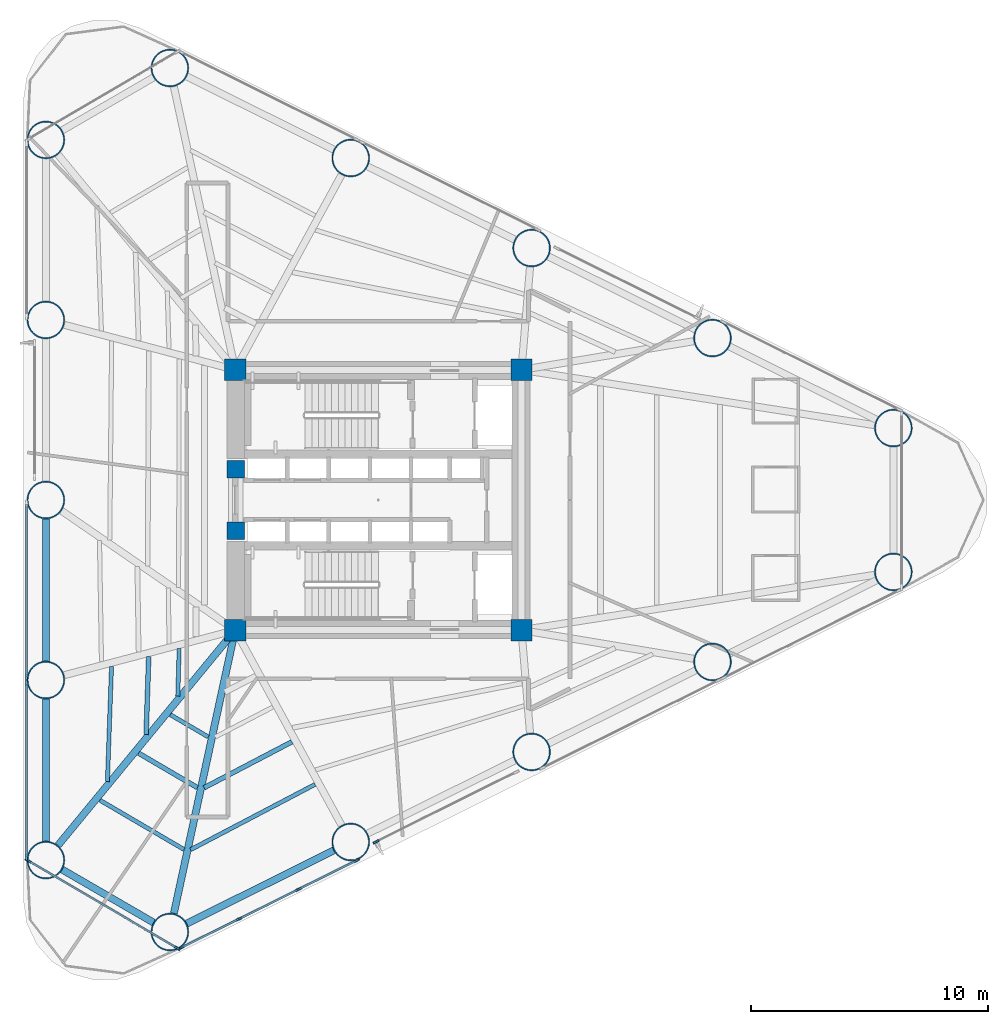
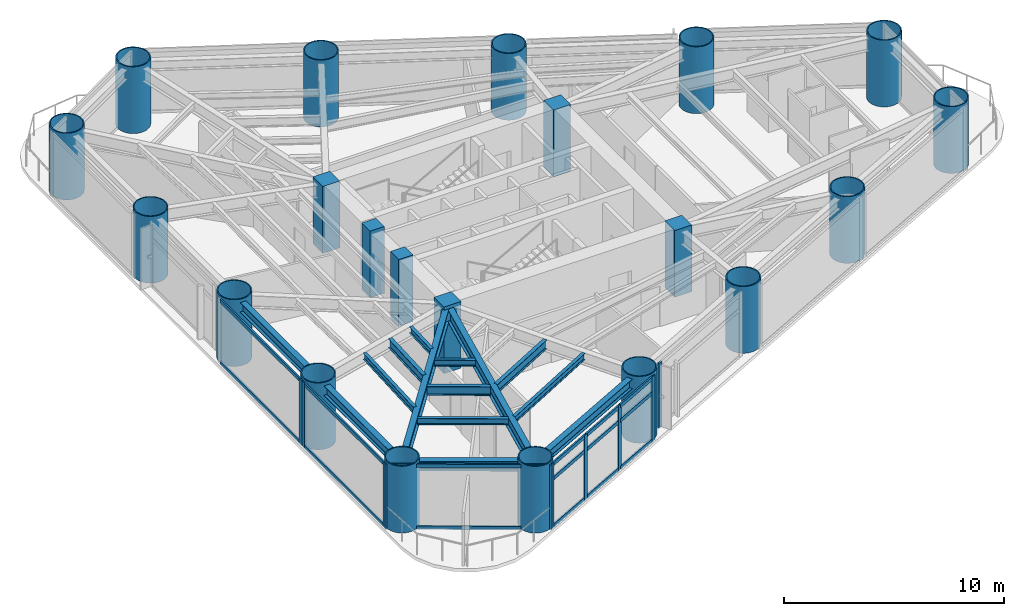
# One storey, part 1 of 10: 25 members, 21 columns, 14 beams, 5 elements without a shape of their own.
"""IFC4 building model written with IfcOpenShell, lengths in metres."""

from ifc_helpers import new_model, si_unit, direction, frame, origin, origin_2d, place, context, subcontext, project, spatial, rectangle, hollow_circle, i_section, extrude, source, transform, mapped, material, layer, layer_set, material_profile, profile_set, type_object, element, aggregate, save


model = new_model("IFC4")

# Units and contexts
model_context = context("Model", 3, precision=1e-05, world=origin(), true_north=direction((0.0, 1.0)))
body_context = subcontext(model_context, "Body", "Model", "MODEL_VIEW")
ifc_project = project(units=[si_unit("LENGTHUNIT", "METRE"), si_unit("AREAUNIT", "SQUARE_METRE"), si_unit("VOLUMEUNIT", "CUBIC_METRE"), si_unit("PLANEANGLEUNIT", "RADIAN"), si_unit("MASSUNIT", "GRAM", prefix="KILO")], contexts=[model_context])

# Site, building, storey
site_placement = place(None, origin())
site = spatial("IfcSite", under=ifc_project, at=site_placement, CompositionType="ELEMENT")
building_placement = place(site_placement, origin())
building = spatial("IfcBuilding", under=site, at=building_placement, Name="Yunling Apex Tower", CompositionType="ELEMENT")
storey_placement = place(building_placement, frame((0.0, 0.0, 34.89990234375)))
storey = spatial("IfcBuildingStorey", under=building, at=storey_placement, Name="L10", CompositionType="ELEMENT", Elevation=34.89990234375)

# Columns
ifc_material_1 = material(Name="Concrete C60", Category="concrete")
ifc_material_profile_1 = material_profile(ifc_material_1, rectangle(XDim=0.89990234375, YDim=0.89990234375, at=origin_2d()))
ifc_profile_set_1 = profile_set([ifc_material_profile_1], Name="Concrete C60")
column_type_1 = type_object("IfcColumnType", Name="PC-SRC-3", PredefinedType="COLUMN", material=ifc_profile_set_1)
shared_shape_1 = source(origin(), body_context, "Body", "SweptSolid", [
    extrude(rectangle(XDim=0.89990234375, YDim=0.89990234375, at=origin_2d()), origin(), (0.0, 0.0, 1.0), 3.7001953125),
])
for number, where, z_axis, x_axis, name in (
    (1, (-6.050048828125, -5.5, 0.0), (0.0, 0.0, 1.0), (1.0, 0.0, 0.0), "L10 Core Spine Column CC-SW"),
    (2, (6.050048828125, -5.5, 0.0), (0.0, 0.0, 1.0), (1.0, 0.0, 0.0), "L10 Core Spine Column CC-SE"),
    (3, (6.050048828125, 5.5, 0.0), (0.0, 0.0, 1.0), (1.0, 0.0, 0.0), "L10 Core Spine Column CC-NE"),
    (4, (-6.050048828125, 5.5, 0.0), (0.0, 0.0, 1.0), (1.0, 0.0, 0.0), "L10 Core Spine Column CC-NW"),
):
    element("IfcColumn", number, at=place(storey_placement, frame(where, z_axis=z_axis, x_axis=x_axis)), inside=storey, type_object=column_type_1, Name=name, PredefinedType="COLUMN", context=body_context, shape_type="MappedRepresentation", body=[
        mapped(shared_shape_1, transform((0.0, 0.0, 0.0), scale=1.0)),
    ])
ifc_material_2 = material(Name="Concrete C50", Category="concrete")
ifc_material_profile_2 = material_profile(ifc_material_2, rectangle(XDim=0.75, YDim=0.75, at=origin_2d()))
ifc_profile_set_2 = profile_set([ifc_material_profile_2], Name="Concrete C50")
column_type_2 = type_object("IfcColumnType", Name="PC-SRC-4", PredefinedType="COLUMN", material=ifc_profile_set_2)
shared_shape_2 = source(origin(), body_context, "Body", "SweptSolid", [
    extrude(rectangle(XDim=0.75, YDim=0.75, at=origin_2d()), origin(), (0.0, 0.0, 1.0), 3.7001953125),
])
for number, where, z_axis, x_axis, name in (
    (5, (-6.02490234375, -1.300048828125, 0.0), (0.0, 0.0, 1.0), (1.0, 0.0, 0.0), "L10 Core West Portal Jamb Column S"),
    (6, (-6.02490234375, 1.300048828125, 0.0), (0.0, 0.0, 1.0), (1.0, 0.0, 0.0), "L10 Core West Portal Jamb Column N"),
):
    element("IfcColumn", number, at=place(storey_placement, frame(where, z_axis=z_axis, x_axis=x_axis)), inside=storey, type_object=column_type_2, Name=name, PredefinedType="COLUMN", context=body_context, shape_type="MappedRepresentation", body=[
        mapped(shared_shape_2, transform((0.0, 0.0, 0.0), scale=1.0)),
    ])
ifc_material_3 = material(Name="Steel Q390GJC", Category="steel")
ifc_material_profile_3 = material_profile(ifc_material_3, hollow_circle(Radius=0.800048828125, WallThickness=0.054931640625, at=origin_2d()))
ifc_profile_set_3 = profile_set([ifc_material_profile_3], Name="Steel Q390GJC")
column_type_3 = type_object("IfcColumnType", Name="MC-CFST-1", PredefinedType="COLUMN", material=ifc_profile_set_3)
shared_shape_3 = source(origin(), body_context, "Body", "SweptSolid", [
    extrude(hollow_circle(Radius=0.800048828125, WallThickness=0.054931640625, at=origin_2d()), origin(), (0.0, 0.0, 1.0), 3.7001953125),
])
for number, where, z_axis, x_axis, name in (
    (7, (-8.8115234375, -18.2578125, 0.0), (0.0, 0.0, 1.0), (1.0, 0.0, 0.0), "L10 Perimeter CFST Mega-Column P01"),
    (8, (-1.1669921875, -14.453125, 0.0), (0.0, 0.0, 1.0), (1.0, 0.0, 0.0), "L10 Perimeter CFST Mega-Column P02"),
    (9, (6.477294921875, -10.648193359375, 0.0), (0.0, 0.0, 1.0), (1.0, 0.0, 0.0), "L10 Perimeter CFST Mega-Column P03"),
    (10, (14.121826171875, -6.843505859375, 0.0), (0.0, 0.0, 1.0), (1.0, 0.0, 0.0), "L10 Perimeter CFST Mega-Column P04"),
    (11, (21.76611328125, -3.038818359375, 0.0), (0.0, 0.0, 1.0), (1.0, 0.0, 0.0), "L10 Perimeter CFST Mega-Column P05"),
    (12, (21.76611328125, 3.038818359375, 0.0), (0.0, 0.0, 1.0), (1.0, 0.0, 0.0), "L10 Perimeter CFST Mega-Column P06"),
    (13, (14.121826171875, 6.843505859375, 0.0), (0.0, 0.0, 1.0), (1.0, 0.0, 0.0), "L10 Perimeter CFST Mega-Column P07"),
    (14, (6.477294921875, 10.648193359375, 0.0), (0.0, 0.0, 1.0), (1.0, 0.0, 0.0), "L10 Perimeter CFST Mega-Column P08"),
    (15, (-1.1669921875, 14.453125, 0.0), (0.0, 0.0, 1.0), (1.0, 0.0, 0.0), "L10 Perimeter CFST Mega-Column P09"),
    (16, (-8.8115234375, 18.2578125, 0.0), (0.0, 0.0, 1.0), (1.0, 0.0, 0.0), "L10 Perimeter CFST Mega-Column P10"),
    (17, (-14.052001953125, 15.218994140625, 0.0), (0.0, 0.0, 1.0), (1.0, 0.0, 0.0), "L10 Perimeter CFST Mega-Column P11"),
    (18, (-14.052001953125, 7.609619140625, 0.0), (0.0, 0.0, 1.0), (1.0, 0.0, 0.0), "L10 Perimeter CFST Mega-Column P12"),
    (19, (-14.052001953125, 0.0, 0.0), (0.0, 0.0, 1.0), (1.0, 0.0, 0.0), "L10 Perimeter CFST Mega-Column P13"),
    (20, (-14.052001953125, -7.609619140625, 0.0), (0.0, 0.0, 1.0), (1.0, 0.0, 0.0), "L10 Perimeter CFST Mega-Column P14"),
    (21, (-14.052001953125, -15.218994140625, 0.0), (0.0, 0.0, 1.0), (1.0, 0.0, 0.0), "L10 Perimeter CFST Mega-Column P15"),
):
    element("IfcColumn", number, at=place(storey_placement, frame(where, z_axis=z_axis, x_axis=x_axis)), inside=storey, type_object=column_type_3, Name=name, PredefinedType="COLUMN", context=body_context, shape_type="MappedRepresentation", body=[
        mapped(shared_shape_3, transform((0.0, 0.0, 0.0), scale=1.0)),
    ])

# Beams
ifc_material_4 = material(Name="Steel Q355B", Category="steel")
ifc_material_profile_4 = material_profile(ifc_material_4, i_section(OverallWidth=0.300048828125, OverallDepth=0.5400390625, WebThickness=0.011962890625, FlangeThickness=0.02001953125, FilletRadius=0.02392578125, at=origin_2d()))
ifc_profile_set_4 = profile_set([ifc_material_profile_4], Name="Steel Q355B")
beam_type_1 = type_object("IfcBeamType", Name="BP-SPN-1", PredefinedType="SPANDREL", material=ifc_profile_set_4)
shared_shape_4 = source(origin(), body_context, "Body", "SweptSolid", [
    extrude(i_section(OverallWidth=0.300048828125, OverallDepth=0.5400390625, WebThickness=0.011962890625, FlangeThickness=0.02001953125, FilletRadius=0.02392578125, at=origin_2d()), origin(), (0.0, 0.0, 1.0), 6.950927734375),
])
beam_1_placement = place(storey_placement, frame((-8.1005859375, -17.904052734375, 3.2451171875), z_axis=(0.89524058306, 0.445583099368, 0.0), x_axis=(-0.445583099368, 0.89524058306, 0.0)))
element("IfcBeam", 22, at=beam_1_placement, inside=storey, type_object=beam_type_1, Name="L10 Perimeter Spandrel Beam 1", PredefinedType="SPANDREL", context=body_context, shape_type="MappedRepresentation", body=[
    mapped(shared_shape_4, transform((0.0, 0.0, 0.0), scale=1.0)),
])
shared_shape_5 = source(origin(), body_context, "Body", "SweptSolid", [
    extrude(i_section(OverallWidth=0.300048828125, OverallDepth=0.5400390625, WebThickness=0.011962890625, FlangeThickness=0.02001953125, FilletRadius=0.02392578125, at=origin_2d()), origin(), (0.0, 0.0, 1.0), 4.469970703125),
])
beam_2_placement = place(storey_placement, frame((-13.364990234375, -15.6171875, 3.2451171875), z_axis=(0.865055841155, -0.501675584102, 0.0), x_axis=(0.501675584102, 0.865055841155, 0.0)))
element("IfcBeam", 23, at=beam_2_placement, inside=storey, type_object=beam_type_1, Name="L10 Perimeter Spandrel Beam 15", PredefinedType="SPANDREL", context=body_context, shape_type="MappedRepresentation", body=[
    mapped(shared_shape_5, transform((0.0, 0.0, 0.0), scale=1.0)),
])
shared_shape_6 = source(origin(), body_context, "Body", "SweptSolid", [
    extrude(i_section(OverallWidth=0.300048828125, OverallDepth=0.5400390625, WebThickness=0.011962890625, FlangeThickness=0.02001953125, FilletRadius=0.02392578125, at=origin_2d()), origin(), (0.0, 0.0, 1.0), 6.021240234375),
])
beam_3_placement = place(storey_placement, frame((-14.052001953125, -8.403564453125, 3.2451171875), z_axis=(0.0, -1.0, 0.0), x_axis=(1.0, 0.0, 0.0)))
element("IfcBeam", 24, at=beam_3_placement, inside=storey, type_object=beam_type_1, Name="L10 Perimeter Spandrel Beam 14", PredefinedType="SPANDREL", context=body_context, shape_type="MappedRepresentation", body=[
    mapped(shared_shape_6, transform((0.0, 0.0, 0.0), scale=1.0)),
])
shared_shape_7 = source(origin(), body_context, "Body", "SweptSolid", [
    extrude(i_section(OverallWidth=0.300048828125, OverallDepth=0.5400390625, WebThickness=0.011962890625, FlangeThickness=0.02001953125, FilletRadius=0.02392578125, at=origin_2d()), origin(), (0.0, 0.0, 1.0), 6.021484375),
])
beam_4_placement = place(storey_placement, frame((-14.052001953125, -0.7939453125, 3.2451171875), z_axis=(0.0, -1.0, 0.0), x_axis=(1.0, 0.0, 0.0)))
element("IfcBeam", 25, at=beam_4_placement, inside=storey, type_object=beam_type_1, Name="L10 Perimeter Spandrel Beam 13", PredefinedType="SPANDREL", context=body_context, shape_type="MappedRepresentation", body=[
    mapped(shared_shape_7, transform((0.0, 0.0, 0.0), scale=1.0)),
])
ifc_material_profile_5 = material_profile(ifc_material_4, i_section(OverallWidth=0.300048828125, OverallDepth=0.699951171875, WebThickness=0.012939453125, FlangeThickness=0.02392578125, FilletRadius=0.02587890625, at=origin_2d()))
ifc_profile_set_5 = profile_set([ifc_material_profile_5], Name="Steel Q355B")
beam_type_2 = type_object("IfcBeamType", Name="BG-PRI-3", PredefinedType="USERDEFINED", material=ifc_profile_set_5)
shared_shape_8 = source(origin(), body_context, "Body", "SweptSolid", [
    extrude(i_section(OverallWidth=0.300048828125, OverallDepth=0.699951171875, WebThickness=0.012939453125, FlangeThickness=0.02392578125, FilletRadius=0.02587890625, at=origin_2d()), origin(), (0.0, 0.0, 1.0), 12.165283203125),
])
beam_5_placement = place(storey_placement, frame((-8.640625, -17.468017578125, 3.1650390625), z_axis=(0.2115638914, 0.977364169517, 0.0), x_axis=(-0.977364169517, 0.2115638914, 0.0)))
element("IfcBeam", 26, at=beam_5_placement, inside=storey, type_object=beam_type_2, Name="L10 Radial Primary Girder R01", ObjectType="GIRDER", PredefinedType="USERDEFINED", context=body_context, shape_type="MappedRepresentation", body=[
    mapped(shared_shape_8, transform((0.0, 0.0, 0.0), scale=1.0)),
])
shared_shape_9 = source(origin(), body_context, "Body", "SweptSolid", [
    extrude(i_section(OverallWidth=0.300048828125, OverallDepth=0.699951171875, WebThickness=0.012939453125, FlangeThickness=0.02392578125, FilletRadius=0.02587890625, at=origin_2d()), origin(), (0.0, 0.0, 1.0), 11.701171875),
])
beam_6_placement = place(storey_placement, frame((-13.538330078125, -14.59521484375, 3.1650390625), z_axis=(0.635615100524, 0.772006116547, 0.0), x_axis=(-0.772006116547, 0.635615100524, 0.0)))
element("IfcBeam", 27, at=beam_6_placement, inside=storey, type_object=beam_type_2, Name="L10 Radial Primary Girder R15", ObjectType="GIRDER", PredefinedType="USERDEFINED", context=body_context, shape_type="MappedRepresentation", body=[
    mapped(shared_shape_9, transform((0.0, 0.0, 0.0), scale=1.0)),
])
ifc_material_profile_6 = material_profile(ifc_material_4, i_section(OverallWidth=0.199951171875, OverallDepth=0.5, WebThickness=0.010009765625, FlangeThickness=0.01611328125, FilletRadius=0.02001953125, at=origin_2d()))
ifc_profile_set_6 = profile_set([ifc_material_profile_6], Name="Steel Q355B")
beam_type_3 = type_object("IfcBeamType", Name="BS-SEC-2", PredefinedType="BEAM", material=ifc_profile_set_6)
shared_shape_10 = source(origin(), body_context, "Body", "SweptSolid", [
    extrude(i_section(OverallWidth=0.199951171875, OverallDepth=0.5, WebThickness=0.010009765625, FlangeThickness=0.01611328125, FilletRadius=0.02001953125, at=origin_2d()), origin(), (0.0, 0.0, 1.0), 4.186279296875),
])
beam_7_placement = place(storey_placement, frame((-7.366455078125, -12.162353515625, 3.26513671875), z_axis=(0.886028927656, 0.463629959512, 0.0), x_axis=(-0.463629959512, 0.886028927656, 0.0)))
element("IfcBeam", 28, at=beam_7_placement, inside=storey, type_object=beam_type_3, Name="L10 Composite Floor Beam BS-1", PredefinedType="BEAM", context=body_context, shape_type="MappedRepresentation", body=[
    mapped(shared_shape_10, transform((0.0, 0.0, 0.0), scale=1.0)),
])
ifc_material_profile_7 = material_profile(ifc_material_4, i_section(OverallWidth=0.175048828125, OverallDepth=0.35009765625, WebThickness=0.007080078125, FlangeThickness=0.010986328125, FilletRadius=0.013916015625, at=origin_2d()))
ifc_profile_set_7 = profile_set([ifc_material_profile_7], Name="Steel Q355B")
beam_type_4 = type_object("IfcBeamType", Name="BJ-JST-1", PredefinedType="JOIST", material=ifc_profile_set_7)
shared_shape_11 = source(origin(), body_context, "Body", "SweptSolid", [
    extrude(i_section(OverallWidth=0.175048828125, OverallDepth=0.35009765625, WebThickness=0.007080078125, FlangeThickness=0.010986328125, FilletRadius=0.013916015625, at=origin_2d()), origin(), (0.0, 0.0, 1.0), 5.935791015625),
])
beam_8_placement = place(storey_placement, frame((-7.9326171875, -14.778076171875, 3.340087890625), z_axis=(0.885494794786, 0.464649296144, 0.0), x_axis=(-0.464649296144, 0.885494794786, 0.0)))
element("IfcBeam", 29, at=beam_8_placement, inside=storey, type_object=beam_type_4, Name="L10 Composite Floor Joist BJ1-1", PredefinedType="JOIST", context=body_context, shape_type="MappedRepresentation", body=[
    mapped(shared_shape_11, transform((0.0, 0.0, 0.0), scale=1.0)),
])
shared_shape_12 = source(origin(), body_context, "Body", "SweptSolid", [
    extrude(i_section(OverallWidth=0.199951171875, OverallDepth=0.5, WebThickness=0.010009765625, FlangeThickness=0.01611328125, FilletRadius=0.02001953125, at=origin_2d()), origin(), (0.0, 0.0, 1.0), 3.29833984375),
])
beam_9_placement = place(storey_placement, frame((-9.704345703125, -6.621826171875, 3.26513671875), z_axis=(-0.033307436794, -0.9994451534, 0.0), x_axis=(0.9994451534, -0.033307436794, 0.0)))
element("IfcBeam", 30, at=beam_9_placement, inside=storey, type_object=beam_type_3, Name="L10 Composite Floor Beam BS-14", PredefinedType="BEAM", context=body_context, shape_type="MappedRepresentation", body=[
    mapped(shared_shape_12, transform((0.0, 0.0, 0.0), scale=1.0)),
])
shared_shape_13 = source(origin(), body_context, "Body", "SweptSolid", [
    extrude(i_section(OverallWidth=0.175048828125, OverallDepth=0.35009765625, WebThickness=0.007080078125, FlangeThickness=0.010986328125, FilletRadius=0.013916015625, at=origin_2d()), origin(), (0.0, 0.0, 1.0), 4.873046875),
])
beam_10_placement = place(storey_placement, frame((-11.2763671875, -7.0361328125, 3.340087890625), z_axis=(-0.035671873065, -0.999363556206, 0.0), x_axis=(0.999363556206, -0.035671873065, 0.0)))
element("IfcBeam", 31, at=beam_10_placement, inside=storey, type_object=beam_type_4, Name="L10 Composite Floor Joist BJ1-14", PredefinedType="JOIST", context=body_context, shape_type="MappedRepresentation", body=[
    mapped(shared_shape_13, transform((0.0, 0.0, 0.0), scale=1.0)),
])
shared_shape_14 = source(origin(), body_context, "Body", "SweptSolid", [
    extrude(i_section(OverallWidth=0.175048828125, OverallDepth=0.35009765625, WebThickness=0.007080078125, FlangeThickness=0.010986328125, FilletRadius=0.013916015625, at=origin_2d()), origin(), (0.0, 0.0, 1.0), 2.01025390625),
])
beam_11_placement = place(storey_placement, frame((-8.41796875, -6.282958984375, 3.340087890625), z_axis=(-0.029024336113, -0.999578705212, 0.0), x_axis=(0.999578705212, -0.029024336113, 0.0)))
element("IfcBeam", 32, at=beam_11_placement, inside=storey, type_object=beam_type_4, Name="L10 Composite Floor Joist BJ3-14", PredefinedType="JOIST", context=body_context, shape_type="MappedRepresentation", body=[
    mapped(shared_shape_14, transform((0.0, 0.0, 0.0), scale=1.0)),
])
shared_shape_15 = source(origin(), body_context, "Body", "SweptSolid", [
    extrude(i_section(OverallWidth=0.199951171875, OverallDepth=0.5, WebThickness=0.010009765625, FlangeThickness=0.01611328125, FilletRadius=0.02001953125, at=origin_2d()), origin(), (0.0, 0.0, 1.0), 2.876220703125),
])
beam_12_placement = place(storey_placement, frame((-10.127685546875, -10.701416015625, 3.26513671875), z_axis=(0.862779689624, -0.505580069992, 0.0), x_axis=(0.505580069992, 0.862779689624, 0.0)))
element("IfcBeam", 33, at=beam_12_placement, inside=storey, type_object=beam_type_3, Name="L10 Composite Floor Beam BS-15", PredefinedType="BEAM", context=body_context, shape_type="MappedRepresentation", body=[
    mapped(shared_shape_15, transform((0.0, 0.0, 0.0), scale=1.0)),
])
shared_shape_16 = source(origin(), body_context, "Body", "SweptSolid", [
    extrude(i_section(OverallWidth=0.175048828125, OverallDepth=0.35009765625, WebThickness=0.007080078125, FlangeThickness=0.010986328125, FilletRadius=0.013916015625, at=origin_2d()), origin(), (0.0, 0.0, 1.0), 4.117431640625),
])
beam_13_placement = place(storey_placement, frame((-11.76416015625, -12.688720703125, 3.340087890625), z_axis=(0.86262392079, -0.505845797928, 0.0), x_axis=(0.505845797928, 0.86262392079, 0.0)))
element("IfcBeam", 34, at=beam_13_placement, inside=storey, type_object=beam_type_4, Name="L10 Composite Floor Joist BJ1-15", PredefinedType="JOIST", context=body_context, shape_type="MappedRepresentation", body=[
    mapped(shared_shape_16, transform((0.0, 0.0, 0.0), scale=1.0)),
])
shared_shape_17 = source(origin(), body_context, "Body", "SweptSolid", [
    extrude(i_section(OverallWidth=0.175048828125, OverallDepth=0.35009765625, WebThickness=0.007080078125, FlangeThickness=0.010986328125, FilletRadius=0.013916015625, at=origin_2d()), origin(), (0.0, 0.0, 1.0), 1.86083984375),
])
beam_14_placement = place(storey_placement, frame((-8.7890625, -9.0751953125, 3.340087890625), z_axis=(0.862987962162, -0.505224481953, 0.0), x_axis=(0.505224481953, 0.862987962162, 0.0)))
element("IfcBeam", 35, at=beam_14_placement, inside=storey, type_object=beam_type_4, Name="L10 Composite Floor Joist BJ3-15", PredefinedType="JOIST", context=body_context, shape_type="MappedRepresentation", body=[
    mapped(shared_shape_17, transform((0.0, 0.0, 0.0), scale=1.0)),
])

# Curtain wall, members
ifc_material_5 = material(Name="Bronze anodised aluminium", Category="aluminium")
ifc_layer = layer(ifc_material_5, 0.260009765625)
ifc_layer_set = layer_set([ifc_layer], Name="Bronze anodised aluminium")
curtain_wall_type = type_object("IfcCurtainWallType", Name="CW-SYS-2", PredefinedType="NOTDEFINED", material=ifc_layer_set)
curtain_wall_1_placement = place(storey_placement, origin())
curtain_wall_1 = element("IfcCurtainWall", 36, at=curtain_wall_1_placement, inside=storey, type_object=curtain_wall_type, Name="CW-L10-F1-B1", PredefinedType="NOTDEFINED")
ifc_material_profile_8 = material_profile(ifc_material_5, rectangle(XDim=0.0849609375, YDim=0.260009765625, at=origin_2d()))
ifc_profile_set_8 = profile_set([ifc_material_profile_8], Name="Bronze anodised aluminium")
member_type_1 = type_object("IfcMemberType", Name="CW-MUL-2", PredefinedType="MULLION", material=ifc_profile_set_8)
shared_shape_18 = source(origin(), body_context, "Body", "SweptSolid", [
    extrude(rectangle(XDim=0.0849609375, YDim=0.260009765625, at=origin_2d()), origin(), (0.0, 0.0, 1.0), 3.614990234375),
])
member_1_placement = place(storey_placement, frame((-8.341064453125, -18.928466796875, -0.0498046875), z_axis=(0.0, 0.0, 1.0), x_axis=(-0.445570625003, 0.895246791748, 0.0)))
member_1 = element("IfcMember", 37, at=member_1_placement, type_object=member_type_1, Name="CW-SYS-2 mullion 1", PredefinedType="MULLION", context=body_context, shape_type="MappedRepresentation", body=[
    mapped(shared_shape_18, transform((0.0, 0.0, 0.0), scale=1.0)),
])
member_2_placement = place(storey_placement, frame((-5.878662109375, -17.702880859375, -0.0498046875), z_axis=(0.0, 0.0, 1.0), x_axis=(-0.445570625003, 0.895246791748, 0.0)))
member_2 = element("IfcMember", 38, at=member_2_placement, type_object=member_type_1, Name="CW-SYS-2 mullion 2", PredefinedType="MULLION", context=body_context, shape_type="MappedRepresentation", body=[
    mapped(shared_shape_18, transform((0.0, 0.0, 0.0), scale=1.0)),
])
member_3_placement = place(storey_placement, frame((-3.378173828125, -16.458251953125, -0.0498046875), z_axis=(0.0, 0.0, 1.0), x_axis=(-0.445570625003, 0.895246791748, 0.0)))
member_3 = element("IfcMember", 39, at=member_3_placement, type_object=member_type_1, Name="CW-SYS-2 mullion 3", PredefinedType="MULLION", context=body_context, shape_type="MappedRepresentation", body=[
    mapped(shared_shape_18, transform((0.0, 0.0, 0.0), scale=1.0)),
])
member_4_placement = place(storey_placement, frame((-0.915771484375, -15.23291015625, -0.0498046875), z_axis=(0.0, 0.0, 1.0), x_axis=(-0.445570625003, 0.895246791748, 0.0)))
member_4 = element("IfcMember", 40, at=member_4_placement, type_object=member_type_1, Name="CW-SYS-2 mullion 4", PredefinedType="MULLION", context=body_context, shape_type="MappedRepresentation", body=[
    mapped(shared_shape_18, transform((0.0, 0.0, 0.0), scale=1.0)),
])

# Curtain wall, member
curtain_wall_2_placement = place(storey_placement, origin())
curtain_wall_2 = element("IfcCurtainWall", 41, at=curtain_wall_2_placement, inside=storey, type_object=curtain_wall_type, Name="CW-L10-F1-B2", PredefinedType="NOTDEFINED")
member_5_placement = place(storey_placement, frame((-0.095947265625, -14.445068359375, -0.0498046875), z_axis=(0.0, 0.0, 1.0), x_axis=(-0.445582781121, 0.895240741459, 0.0)))
member_5 = element("IfcMember", 42, at=member_5_placement, type_object=member_type_1, Name="CW-SYS-2 mullion 1", PredefinedType="MULLION", context=body_context, shape_type="MappedRepresentation", body=[
    mapped(shared_shape_18, transform((0.0, 0.0, 0.0), scale=1.0)),
])
aggregate(curtain_wall_2, [member_5])

curtain_wall_3_placement = place(storey_placement, origin())
curtain_wall_3 = element("IfcCurtainWall", 43, at=curtain_wall_3_placement, inside=storey, type_object=curtain_wall_type, Name="CW-L10-F3-B3", PredefinedType="NOTDEFINED")
member_6_placement = place(storey_placement, frame((-14.862060546875, -7.487060546875, -0.0498046875), z_axis=(0.0, 0.0, 1.0), x_axis=(1.0, 0.0, 0.0)))
member_6 = element("IfcMember", 44, at=member_6_placement, type_object=member_type_1, Name="CW-SYS-2 mullion 2", PredefinedType="MULLION", context=body_context, shape_type="MappedRepresentation", body=[
    mapped(shared_shape_18, transform((0.0, 0.0, 0.0), scale=1.0)),
])

# Curtain wall, members
curtain_wall_4_placement = place(storey_placement, origin())
curtain_wall_4 = element("IfcCurtainWall", 45, at=curtain_wall_4_placement, inside=storey, type_object=curtain_wall_type, Name="CW-L10-F3-B4", PredefinedType="NOTDEFINED")
member_7_placement = place(storey_placement, frame((-14.862060546875, -7.73193359375, -0.0498046875), z_axis=(0.0, 0.0, 1.0), x_axis=(1.0, 0.0, 0.0)))
member_7 = element("IfcMember", 46, at=member_7_placement, type_object=member_type_1, Name="CW-SYS-2 mullion 1", PredefinedType="MULLION", context=body_context, shape_type="MappedRepresentation", body=[
    mapped(shared_shape_18, transform((0.0, 0.0, 0.0), scale=1.0)),
])
member_8_placement = place(storey_placement, frame((-14.862060546875, -15.096435546875, -0.0498046875), z_axis=(0.0, 0.0, 1.0), x_axis=(1.0, 0.0, 0.0)))
member_8 = element("IfcMember", 47, at=member_8_placement, type_object=member_type_1, Name="CW-SYS-2 mullion 2", PredefinedType="MULLION", context=body_context, shape_type="MappedRepresentation", body=[
    mapped(shared_shape_18, transform((0.0, 0.0, 0.0), scale=1.0)),
])

curtain_wall_5_placement = place(storey_placement, origin())
curtain_wall_5 = element("IfcCurtainWall", 48, at=curtain_wall_5_placement, inside=storey, type_object=curtain_wall_type, Name="CW-L10-CRN3", PredefinedType="NOTDEFINED")
member_9_placement = place(storey_placement, frame((-14.805419921875, -15.240478515625, -0.0498046875), z_axis=(0.0, 0.0, 1.0), x_axis=(0.506195543811, 0.86241873323, 0.0)))
member_9 = element("IfcMember", 49, at=member_9_placement, type_object=member_type_1, Name="CW-SYS-2 mullion 1", PredefinedType="MULLION", context=body_context, shape_type="MappedRepresentation", body=[
    mapped(shared_shape_18, transform((0.0, 0.0, 0.0), scale=1.0)),
])
member_10_placement = place(storey_placement, frame((-8.49609375, -18.943603515625, -0.0498046875), z_axis=(0.0, 0.0, 1.0), x_axis=(0.506195543811, 0.86241873323, 0.0)))
member_10 = element("IfcMember", 50, at=member_10_placement, type_object=member_type_1, Name="CW-SYS-2 mullion 2", PredefinedType="MULLION", context=body_context, shape_type="MappedRepresentation", body=[
    mapped(shared_shape_18, transform((0.0, 0.0, 0.0), scale=1.0)),
])

# Member
ifc_material_profile_9 = material_profile(ifc_material_5, rectangle(XDim=0.0849609375, YDim=0.199951171875, at=origin_2d()))
ifc_profile_set_9 = profile_set([ifc_material_profile_9], Name="Bronze anodised aluminium")
member_type_2 = type_object("IfcMemberType", Name="CW-TRN-2", PredefinedType="USERDEFINED", material=ifc_profile_set_9)
shared_shape_19 = source(origin(), body_context, "Body", "SweptSolid", [
    extrude(rectangle(XDim=0.0849609375, YDim=0.199951171875, at=origin_2d()), origin(), (0.0, 0.0, 1.0), 2.673828125),
])
member_11_placement = place(storey_placement, frame((-8.306640625, -18.911376953125, 0.04248046875), z_axis=(0.895247427801, 0.445569347034, 0.0), x_axis=(-0.445569347034, 0.895247427801, 0.0)))
member_11 = element("IfcMember", 51, at=member_11_placement, type_object=member_type_2, Name="CW-SYS-2 transom 1.1", ObjectType="TRANSOM", PredefinedType="USERDEFINED", context=body_context, shape_type="MappedRepresentation", body=[
    mapped(shared_shape_19, transform((0.0, 0.0, 0.0), scale=1.0)),
])

member_12_placement = place(storey_placement, frame((-8.306640625, -18.911376953125, 2.67138671875), z_axis=(0.895247427801, 0.445569347034, 0.0), x_axis=(-0.445569347034, 0.895247427801, 0.0)))
member_12 = element("IfcMember", 52, at=member_12_placement, type_object=member_type_2, Name="CW-SYS-2 transom 1.2", ObjectType="TRANSOM", PredefinedType="USERDEFINED", context=body_context, shape_type="MappedRepresentation", body=[
    mapped(shared_shape_19, transform((0.0, 0.0, 0.0), scale=1.0)),
])

member_13_placement = place(storey_placement, frame((-8.306640625, -18.911376953125, 3.47265625), z_axis=(0.895247427801, 0.445569347034, 0.0), x_axis=(-0.445569347034, 0.895247427801, 0.0)))
member_13 = element("IfcMember", 53, at=member_13_placement, type_object=member_type_2, Name="CW-SYS-2 transom 1.3", ObjectType="TRANSOM", PredefinedType="USERDEFINED", context=body_context, shape_type="MappedRepresentation", body=[
    mapped(shared_shape_19, transform((0.0, 0.0, 0.0), scale=1.0)),
])

member_14_placement = place(storey_placement, frame((-3.343994140625, -16.44140625, 0.04248046875), z_axis=(0.895247427801, 0.445569347034, 0.0), x_axis=(-0.445569347034, 0.895247427801, 0.0)))
member_14 = element("IfcMember", 54, at=member_14_placement, type_object=member_type_2, Name="CW-SYS-2 transom 3.1", ObjectType="TRANSOM", PredefinedType="USERDEFINED", context=body_context, shape_type="MappedRepresentation", body=[
    mapped(shared_shape_19, transform((0.0, 0.0, 0.0), scale=1.0)),
])

member_15_placement = place(storey_placement, frame((-3.343994140625, -16.44140625, 2.67138671875), z_axis=(0.895247427801, 0.445569347034, 0.0), x_axis=(-0.445569347034, 0.895247427801, 0.0)))
member_15 = element("IfcMember", 55, at=member_15_placement, type_object=member_type_2, Name="CW-SYS-2 transom 3.2", ObjectType="TRANSOM", PredefinedType="USERDEFINED", context=body_context, shape_type="MappedRepresentation", body=[
    mapped(shared_shape_19, transform((0.0, 0.0, 0.0), scale=1.0)),
])

member_16_placement = place(storey_placement, frame((-3.343994140625, -16.44140625, 3.47265625), z_axis=(0.895247427801, 0.445569347034, 0.0), x_axis=(-0.445569347034, 0.895247427801, 0.0)))
member_16 = element("IfcMember", 56, at=member_16_placement, type_object=member_type_2, Name="CW-SYS-2 transom 3.3", ObjectType="TRANSOM", PredefinedType="USERDEFINED", context=body_context, shape_type="MappedRepresentation", body=[
    mapped(shared_shape_19, transform((0.0, 0.0, 0.0), scale=1.0)),
])

shared_shape_20 = source(origin(), body_context, "Body", "SweptSolid", [
    extrude(rectangle(XDim=0.0849609375, YDim=0.199951171875, at=origin_2d()), origin(), (0.0, 0.0, 1.0), 2.716552734375),
])
member_17_placement = place(storey_placement, frame((-5.84423828125, -17.685791015625, 0.04248046875), z_axis=(0.895234593731, 0.445595132589, 0.0), x_axis=(-0.445595132589, 0.895234593731, 0.0)))
member_17 = element("IfcMember", 57, at=member_17_placement, type_object=member_type_2, Name="CW-SYS-2 transom 2.1", ObjectType="TRANSOM", PredefinedType="USERDEFINED", context=body_context, shape_type="MappedRepresentation", body=[
    mapped(shared_shape_20, transform((0.0, 0.0, 0.0), scale=1.0)),
])

member_18_placement = place(storey_placement, frame((-5.84423828125, -17.685791015625, 2.67138671875), z_axis=(0.895234593731, 0.445595132589, 0.0), x_axis=(-0.445595132589, 0.895234593731, 0.0)))
member_18 = element("IfcMember", 58, at=member_18_placement, type_object=member_type_2, Name="CW-SYS-2 transom 2.2", ObjectType="TRANSOM", PredefinedType="USERDEFINED", context=body_context, shape_type="MappedRepresentation", body=[
    mapped(shared_shape_20, transform((0.0, 0.0, 0.0), scale=1.0)),
])

member_19_placement = place(storey_placement, frame((-5.84423828125, -17.685791015625, 3.47265625), z_axis=(0.895234593731, 0.445595132589, 0.0), x_axis=(-0.445595132589, 0.895234593731, 0.0)))
member_19 = element("IfcMember", 59, at=member_19_placement, type_object=member_type_2, Name="CW-SYS-2 transom 2.3", ObjectType="TRANSOM", PredefinedType="USERDEFINED", context=body_context, shape_type="MappedRepresentation", body=[
    mapped(shared_shape_20, transform((0.0, 0.0, 0.0), scale=1.0)),
])

aggregate(curtain_wall_1, [member_1, member_2, member_3, member_4, member_11, member_12, member_13, member_17, member_18, member_19, member_14, member_15, member_16])

shared_shape_21 = source(origin(), body_context, "Body", "SweptSolid", [
    extrude(rectangle(XDim=0.0849609375, YDim=0.199951171875, at=origin_2d()), origin(), (0.0, 0.0, 1.0), 7.239501953125),
])
member_20_placement = place(storey_placement, frame((-14.7724609375, -15.259765625, 0.04248046875), z_axis=(0.862419304353, -0.506194570772, 0.0), x_axis=(0.506194570772, 0.862419304353, 0.0)))
member_20 = element("IfcMember", 60, at=member_20_placement, type_object=member_type_2, Name="CW-SYS-2 transom 1.1", ObjectType="TRANSOM", PredefinedType="USERDEFINED", context=body_context, shape_type="MappedRepresentation", body=[
    mapped(shared_shape_21, transform((0.0, 0.0, 0.0), scale=1.0)),
])

member_21_placement = place(storey_placement, frame((-14.7724609375, -15.259765625, 3.47265625), z_axis=(0.862419304353, -0.506194570772, 0.0), x_axis=(0.506194570772, 0.862419304353, 0.0)))
member_21 = element("IfcMember", 61, at=member_21_placement, type_object=member_type_2, Name="CW-SYS-2 transom 1.2", ObjectType="TRANSOM", PredefinedType="USERDEFINED", context=body_context, shape_type="MappedRepresentation", body=[
    mapped(shared_shape_21, transform((0.0, 0.0, 0.0), scale=1.0)),
])

aggregate(curtain_wall_5, [member_9, member_10, member_20, member_21])

shared_shape_22 = source(origin(), body_context, "Body", "SweptSolid", [
    extrude(rectangle(XDim=0.0849609375, YDim=0.199951171875, at=origin_2d()), origin(), (0.0, 0.0, 1.0), 7.287841796875),
])
member_22_placement = place(storey_placement, frame((-14.862060546875, -7.770263671875, 0.04248046875), z_axis=(0.0, -1.0, 0.0), x_axis=(1.0, 0.0, 0.0)))
member_22 = element("IfcMember", 62, at=member_22_placement, type_object=member_type_2, Name="CW-SYS-2 transom 1.1", ObjectType="TRANSOM", PredefinedType="USERDEFINED", context=body_context, shape_type="MappedRepresentation", body=[
    mapped(shared_shape_22, transform((0.0, 0.0, 0.0), scale=1.0)),
])

member_23_placement = place(storey_placement, frame((-14.862060546875, -7.770263671875, 3.47265625), z_axis=(0.0, -1.0, 0.0), x_axis=(1.0, 0.0, 0.0)))
member_23 = element("IfcMember", 63, at=member_23_placement, type_object=member_type_2, Name="CW-SYS-2 transom 1.2", ObjectType="TRANSOM", PredefinedType="USERDEFINED", context=body_context, shape_type="MappedRepresentation", body=[
    mapped(shared_shape_22, transform((0.0, 0.0, 0.0), scale=1.0)),
])

aggregate(curtain_wall_4, [member_7, member_8, member_22, member_23])

shared_shape_23 = source(origin(), body_context, "Body", "SweptSolid", [
    extrude(rectangle(XDim=0.0849609375, YDim=0.199951171875, at=origin_2d()), origin(), (0.0, 0.0, 1.0), 7.2880859375),
])
member_24_placement = place(storey_placement, frame((-14.862060546875, -0.16064453125, 0.04248046875), z_axis=(0.0, -1.0, 0.0), x_axis=(1.0, 0.0, 0.0)))
member_24 = element("IfcMember", 64, at=member_24_placement, type_object=member_type_2, Name="CW-SYS-2 transom 1.1", ObjectType="TRANSOM", PredefinedType="USERDEFINED", context=body_context, shape_type="MappedRepresentation", body=[
    mapped(shared_shape_23, transform((0.0, 0.0, 0.0), scale=1.0)),
])

member_25_placement = place(storey_placement, frame((-14.862060546875, -0.16064453125, 3.47265625), z_axis=(0.0, -1.0, 0.0), x_axis=(1.0, 0.0, 0.0)))
member_25 = element("IfcMember", 65, at=member_25_placement, type_object=member_type_2, Name="CW-SYS-2 transom 1.2", ObjectType="TRANSOM", PredefinedType="USERDEFINED", context=body_context, shape_type="MappedRepresentation", body=[
    mapped(shared_shape_23, transform((0.0, 0.0, 0.0), scale=1.0)),
])

aggregate(curtain_wall_3, [member_6, member_24, member_25])

save(model, "model.ifc")
